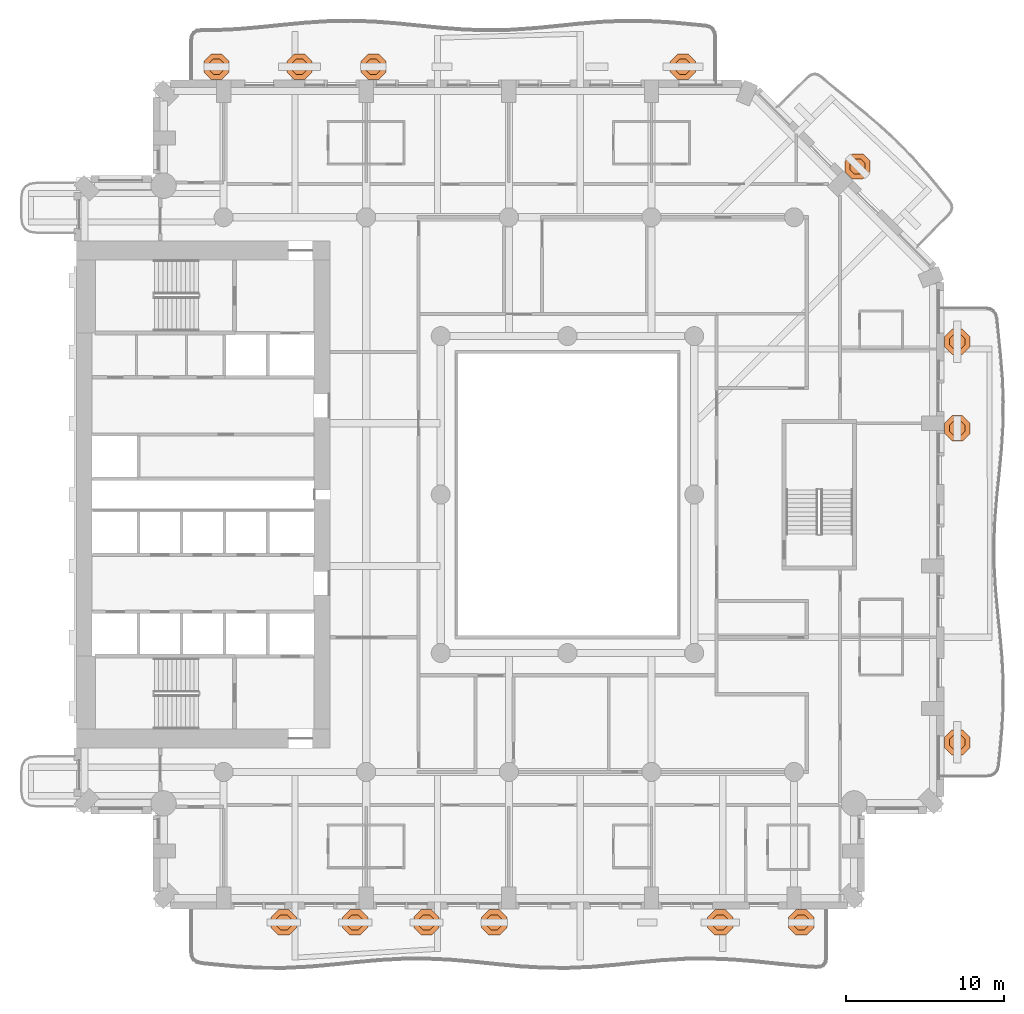
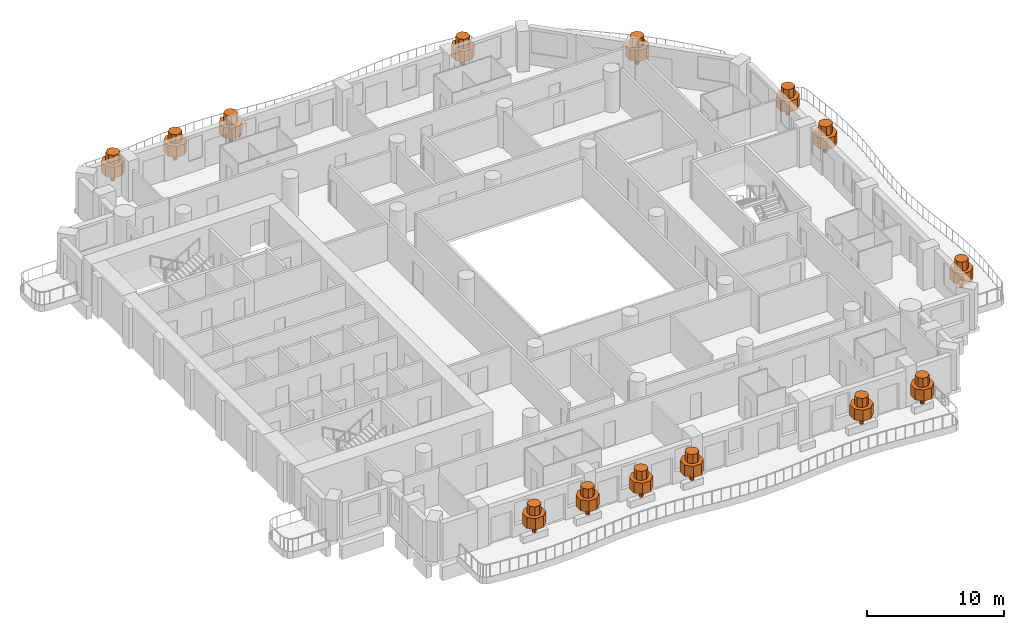
# One storey, part 19 of 19: 14 geographic elements.
"""IFC4 building model written with IfcOpenShell, lengths in metres."""

from ifc_helpers import new_model, si_unit, direction, frame, origin, place, context, subcontext, project, spatial, polyline, outline, extrude, material, type_object, element, save


model = new_model("IFC4")

# Units and contexts
model_context = context("Model", 3, precision=1e-05, world=origin(), true_north=direction((0.0, 1.0)))
body_context = subcontext(model_context, "Body", "Model", "MODEL_VIEW")
ifc_project = project(units=[si_unit("LENGTHUNIT", "METRE"), si_unit("AREAUNIT", "SQUARE_METRE"), si_unit("VOLUMEUNIT", "CUBIC_METRE"), si_unit("PLANEANGLEUNIT", "RADIAN"), si_unit("MASSUNIT", "GRAM", prefix="KILO")], contexts=[model_context])

# Site, building, storey
site_placement = place(None, origin())
site = spatial("IfcSite", under=ifc_project, at=site_placement, CompositionType="ELEMENT")
building_placement = place(site_placement, origin())
building = spatial("IfcBuilding", under=site, at=building_placement, Name="Cypress Arch Tower", CompositionType="ELEMENT")
storey_placement = place(building_placement, frame((0.0, 0.0, 69.89990234375)))
storey = spatial("IfcBuildingStorey", under=building, at=storey_placement, Name="L11", CompositionType="ELEMENT", Elevation=69.89990234375)

# Geographic elements
ifc_material = material(Name="Foliage and planting")
geographic_element_type = type_object("IfcGeographicElementType", Name="Balcony tree TR", PredefinedType="USERDEFINED", material=ifc_material)
for number, where, z_axis, x_axis, name in (
    (1, (-16.89990234375, -27.0, 0.60009765625), (0.0, 0.0, 1.0), (1.0, 0.0, 0.0), "Balcony tree L11-A03.1"),
    (2, (-12.39990234375, -27.0, 0.60009765625), (0.0, 0.0, 1.0), (1.0, 0.0, 0.0), "Balcony tree L11-A03.2"),
    (3, (-7.89990234375, -27.0, 0.60009765625), (0.0, 0.0, 1.0), (1.0, 0.0, 0.0), "Balcony tree L11-A03.3"),
    (4, (-3.625, -27.0, 0.60009765625), (0.0, 0.0, 1.0), (1.0, 0.0, 0.0), "Balcony tree L11-A03.4"),
    (5, (10.639892578125, -27.0, 0.60009765625), (0.0, 0.0, 1.0), (1.0, 0.0, 0.0), "Balcony tree L11-A03.6"),
    (6, (15.75, -27.0, 0.60009765625), (0.0, 0.0, 1.0), (1.0, 0.0, 0.0), "Balcony tree L11-A03.7"),
    (7, (25.60009765625, -15.642822265625, 0.60009765625), (0.0, 0.0, 1.0), (1.0, 0.0, 0.0), "Balcony tree L11-A06.1"),
    (8, (25.60009765625, 4.1826171875, 0.60009765625), (0.0, 0.0, 1.0), (1.0, 0.0, 0.0), "Balcony tree L11-A06.2"),
    (9, (25.60009765625, 9.642822265625, 0.60009765625), (0.0, 0.0, 1.0), (1.0, 0.0, 0.0), "Balcony tree L11-A06.3"),
    (10, (19.30712890625, 20.70703125, 0.60009765625), (0.0, 0.0, 1.0), (1.0, 0.0, 0.0), "Balcony tree L11-A07.2"),
    (11, (8.28125, 27.0, 0.60009765625), (0.0, 0.0, 1.0), (1.0, 0.0, 0.0), "Balcony tree L11-A08.1"),
    (12, (-11.24365234375, 27.0, 0.60009765625), (0.0, 0.0, 1.0), (1.0, 0.0, 0.0), "Balcony tree L11-A08.4"),
    (13, (-15.91259765625, 27.0, 0.60009765625), (0.0, 0.0, 1.0), (1.0, 0.0, 0.0), "Balcony tree L11-A08.5"),
    (14, (-21.14990234375, 27.0, 0.60009765625), (0.0, 0.0, 1.0), (1.0, 0.0, 0.0), "Balcony tree L11-A08.6"),
):
    element("IfcGeographicElement", number, at=place(storey_placement, frame(where, z_axis=z_axis, x_axis=x_axis)), inside=storey, type_object=geographic_element_type, Name=name, ObjectType="TREE", PredefinedType="USERDEFINED", context=body_context, shape_type="SweptSolid", body=[
        extrude(outline(polyline([(0.14990234375, 0.06201171875), (0.06201171875, 0.14990234375), (-0.06201171875, 0.14990234375), (-0.14990234375, 0.06201171875), (-0.14990234375, -0.06201171875), (-0.06201171875, -0.14990234375), (0.06201171875, -0.14990234375), (0.14990234375, -0.06201171875), (0.14990234375, 0.06201171875)])), origin(), (0.0, 0.0, 1.0), 0.864990234375),
        extrude(outline(polyline([(0.800048828125, 0.331298828125), (0.331298828125, 0.800048828125), (-0.331298828125, 0.800048828125), (-0.800048828125, 0.331298828125), (-0.800048828125, -0.331298828125), (-0.331298828125, -0.800048828125), (0.331298828125, -0.800048828125), (0.800048828125, -0.331298828125), (0.800048828125, 0.331298828125)])), frame((0.0, 0.0, 0.764892578125)), (0.0, 0.0, 1.0), 0.981689453125),
        extrude(outline(polyline([(0.47998046875, 0.19873046875), (0.19873046875, 0.47998046875), (-0.19873046875, 0.47998046875), (-0.47998046875, 0.19873046875), (-0.47998046875, -0.19873046875), (-0.19873046875, -0.47998046875), (0.19873046875, -0.47998046875), (0.47998046875, -0.19873046875), (0.47998046875, 0.19873046875)])), frame((0.0, 0.0, 1.746826171875)), (0.0, 0.0, 1.0), 0.80322265625),
    ])

save(model, "model.ifc")
